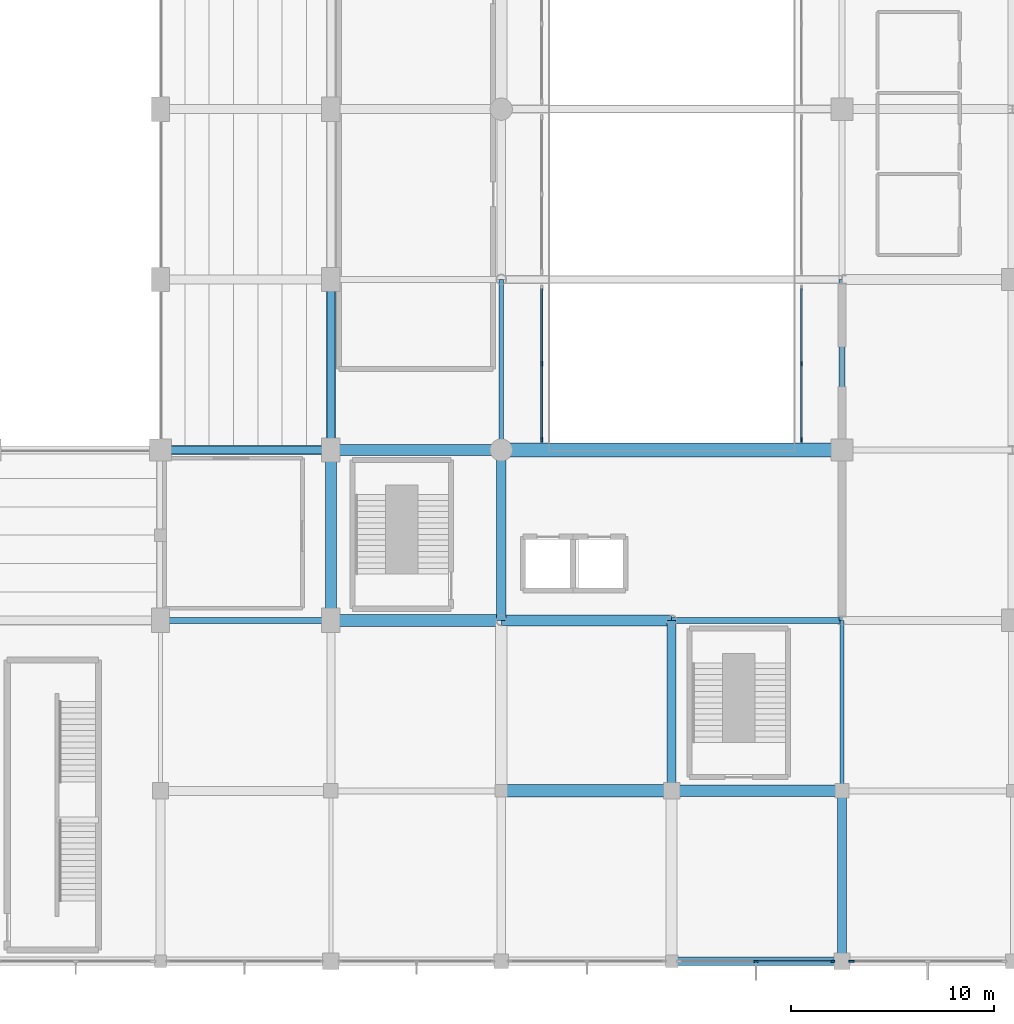
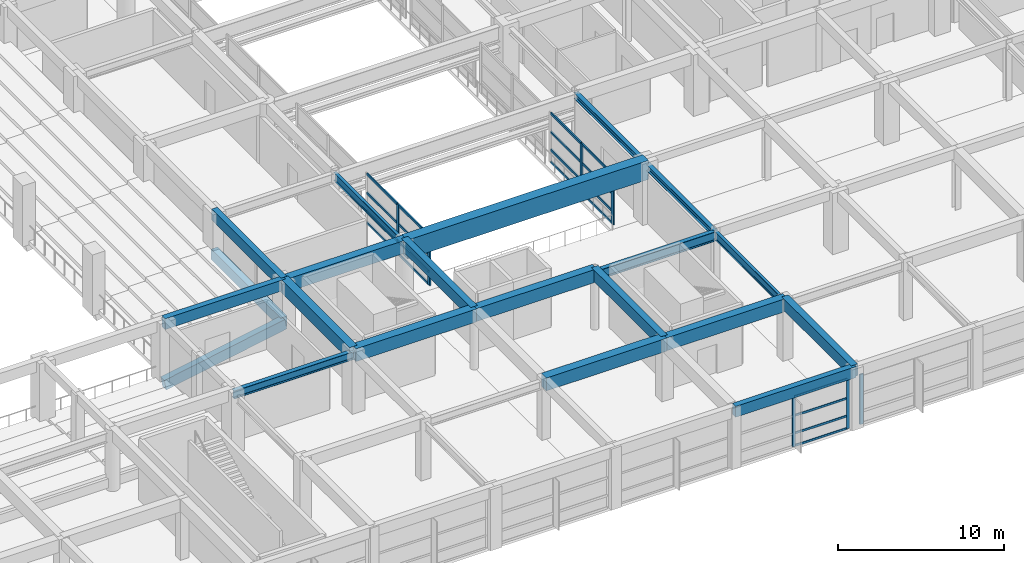
# One storey, part 23 of 62: 27 members, 21 beams, 4 elements without a shape of their own.
"""IFC4 building model written with IfcOpenShell, lengths in metres."""

from ifc_helpers import new_model, si_unit, direction, frame, origin, origin_2d, place, context, subcontext, project, spatial, rectangle, i_section, extrude, material, material_profile, profile_set, type_object, element, aggregate, save


model = new_model("IFC4")

# Units and contexts
model_context = context("Model", 3, precision=1e-05, world=origin(), true_north=direction((0.0, 1.0)))
body_context = subcontext(model_context, "Body", "Model", "MODEL_VIEW")
ifc_project = project(units=[si_unit("LENGTHUNIT", "METRE"), si_unit("AREAUNIT", "SQUARE_METRE"), si_unit("VOLUMEUNIT", "CUBIC_METRE"), si_unit("PLANEANGLEUNIT", "RADIAN"), si_unit("MASSUNIT", "GRAM", prefix="KILO")], contexts=[model_context])

# Site, building, storey
site_placement = place(None, origin())
site = spatial("IfcSite", under=ifc_project, at=site_placement, CompositionType="ELEMENT")
building_placement = place(site_placement, origin())
building = spatial("IfcBuilding", under=site, at=building_placement, Name="Xuanlan Plaza Opera House", CompositionType="ELEMENT")
storey_placement = place(building_placement, frame((0.0, 0.0, 14.39990234375)))
storey = spatial("IfcBuildingStorey", under=building, at=storey_placement, Name="L03", CompositionType="ELEMENT", Elevation=14.39990234375)

# Curtain wall, members
ifc_material_1 = material(Name="Anodised Aluminium 6063-T6 and Low-E Glass", Category="aluminium")
curtain_wall_type_1 = type_object("IfcCurtainWallType", Name="ENV-CW-CW-05", PredefinedType="USERDEFINED", material=ifc_material_1)
curtain_wall_1_placement = place(storey_placement, origin())
curtain_wall_1 = element("IfcCurtainWall", 1, at=curtain_wall_1_placement, inside=storey, type_object=curtain_wall_type_1, Name="Acoustic Glazed Wall L03-014", ObjectType="ACOUSTIC GLAZED WALL", PredefinedType="USERDEFINED")
ifc_material_2 = material(Name="Anodised Aluminium 6063-T6", Category="aluminium")
ifc_material_profile_1 = material_profile(ifc_material_2, rectangle(XDim=0.080078125, YDim=0.219970703125, at=origin_2d()), Name="ALU-M 80x220")
ifc_profile_set_1 = profile_set([ifc_material_profile_1], Name="Anodised Aluminium 6063-T6")
member_type_1 = type_object("IfcMemberType", Name="ENV-CWM-04", PredefinedType="MULLION", material=ifc_profile_set_1)
member_1_placement = place(storey_placement, frame((121.75, 16.800048828125, 0.0), z_axis=(0.0, 0.0, 1.0), x_axis=(0.0, 1.0, 0.0)))
member_1 = element("IfcMember", 2, at=member_1_placement, type_object=member_type_1, Name="CW-05 mullion 2", PredefinedType="MULLION", context=body_context, shape_type="SweptSolid", body=[
    extrude(rectangle(XDim=0.080078125, YDim=0.219970703125, at=origin_2d()), origin(), (0.0, 0.0, 1.0), 3.68017578125),
])
member_2_placement = place(storey_placement, frame((125.5400390625, 16.800048828125, 0.0), z_axis=(0.0, 0.0, 1.0), x_axis=(0.0, 1.0, 0.0)))
member_2 = element("IfcMember", 3, at=member_2_placement, type_object=member_type_1, Name="CW-05 mullion 3", PredefinedType="MULLION", context=body_context, shape_type="SweptSolid", body=[
    extrude(rectangle(XDim=0.080078125, YDim=0.219970703125, at=origin_2d()), origin(), (0.0, 0.0, 1.0), 3.68017578125),
])

# Curtain wall, member
curtain_wall_type_2 = type_object("IfcCurtainWallType", Name="ENV-CW-CW-06", PredefinedType="USERDEFINED", material=ifc_material_1)
curtain_wall_2_placement = place(storey_placement, origin())
curtain_wall_2 = element("IfcCurtainWall", 4, at=curtain_wall_2_placement, inside=storey, type_object=curtain_wall_type_2, Name="Acoustic Glazed Wall L03-015", ObjectType="ACOUSTIC GLAZED WALL", PredefinedType="USERDEFINED")
ifc_material_profile_2 = material_profile(ifc_material_2, rectangle(XDim=0.090087890625, YDim=0.25, at=origin_2d()), Name="ALU-M 90x250")
ifc_profile_set_2 = profile_set([ifc_material_profile_2], Name="Anodised Aluminium 6063-T6")
member_type_2 = type_object("IfcMemberType", Name="ENV-CWM-05", PredefinedType="MULLION", material=ifc_profile_set_2)
member_3_placement = place(storey_placement, frame((126.465087890625, 16.800048828125, 0.0), z_axis=(0.0, 0.0, 1.0), x_axis=(0.0, 1.0, 0.0)))
member_3 = element("IfcMember", 5, at=member_3_placement, type_object=member_type_2, Name="CW-06 mullion 1", PredefinedType="MULLION", context=body_context, shape_type="SweptSolid", body=[
    extrude(rectangle(XDim=0.090087890625, YDim=0.25, at=origin_2d()), origin(), (0.0, 0.0, 1.0), 3.68017578125),
])
aggregate(curtain_wall_2, [member_3])

# Curtain wall, members
curtain_wall_3_placement = place(storey_placement, origin())
curtain_wall_3 = element("IfcCurtainWall", 6, at=curtain_wall_3_placement, inside=storey, type_object=curtain_wall_type_2, Name="Acoustic Glazed Wall ATR-L03-11", ObjectType="ACOUSTIC GLAZED WALL", PredefinedType="USERDEFINED")
member_4_placement = place(storey_placement, frame((111.199951171875, 42.4951171875, 0.0), z_axis=(0.0, 0.0, 1.0), x_axis=(-1.0, 0.0, 0.0)))
member_4 = element("IfcMember", 7, at=member_4_placement, type_object=member_type_2, Name="CW-06 mullion 1", PredefinedType="MULLION", context=body_context, shape_type="SweptSolid", body=[
    extrude(rectangle(XDim=0.090087890625, YDim=0.25, at=origin_2d()), origin(), (0.0, 0.0, 1.0), 3.68017578125),
])
member_5_placement = place(storey_placement, frame((111.199951171875, 46.25, 0.0), z_axis=(0.0, 0.0, 1.0), x_axis=(-1.0, 0.0, 0.0)))
member_5 = element("IfcMember", 8, at=member_5_placement, type_object=member_type_2, Name="CW-06 mullion 2", PredefinedType="MULLION", context=body_context, shape_type="SweptSolid", body=[
    extrude(rectangle(XDim=0.090087890625, YDim=0.25, at=origin_2d()), origin(), (0.0, 0.0, 1.0), 3.68017578125),
])

curtain_wall_4_placement = place(storey_placement, origin())
curtain_wall_4 = element("IfcCurtainWall", 9, at=curtain_wall_4_placement, inside=storey, type_object=curtain_wall_type_2, Name="Acoustic Glazed Wall ATR-L03-21", ObjectType="ACOUSTIC GLAZED WALL", PredefinedType="USERDEFINED")
member_6_placement = place(storey_placement, frame((124.0, 42.4951171875, 0.0), z_axis=(0.0, 0.0, 1.0), x_axis=(-1.0, 0.0, 0.0)))
member_6 = element("IfcMember", 10, at=member_6_placement, type_object=member_type_2, Name="CW-06 mullion 1", PredefinedType="MULLION", context=body_context, shape_type="SweptSolid", body=[
    extrude(rectangle(XDim=0.090087890625, YDim=0.25, at=origin_2d()), origin(), (0.0, 0.0, 1.0), 3.68017578125),
])
member_7_placement = place(storey_placement, frame((124.0, 46.25, 0.0), z_axis=(0.0, 0.0, 1.0), x_axis=(-1.0, 0.0, 0.0)))
member_7 = element("IfcMember", 11, at=member_7_placement, type_object=member_type_2, Name="CW-06 mullion 2", PredefinedType="MULLION", context=body_context, shape_type="SweptSolid", body=[
    extrude(rectangle(XDim=0.090087890625, YDim=0.25, at=origin_2d()), origin(), (0.0, 0.0, 1.0), 3.68017578125),
])

# Member
ifc_material_profile_3 = material_profile(ifc_material_2, rectangle(XDim=0.074951171875, YDim=0.14990234375, at=origin_2d()), Name="ALU-T 75x150")
ifc_profile_set_3 = profile_set([ifc_material_profile_3], Name="Anodised Aluminium 6063-T6")
member_type_3 = type_object("IfcMemberType", Name="ENV-CWT-03", PredefinedType="USERDEFINED", material=ifc_profile_set_3)
member_8_placement = place(storey_placement, frame((121.7900390625, 16.800048828125, 0.03759765625), z_axis=(1.0, 0.0, 0.0), x_axis=(0.0, 1.0, 0.0)))
member_8 = element("IfcMember", 12, at=member_8_placement, type_object=member_type_3, Name="CW-05 transom 2.1", ObjectType="TRANSOM", PredefinedType="USERDEFINED", context=body_context, shape_type="SweptSolid", body=[
    extrude(rectangle(XDim=0.074951171875, YDim=0.14990234375, at=origin_2d()), origin(), (0.0, 0.0, 1.0), 3.7099609375),
])

member_9_placement = place(storey_placement, frame((121.7900390625, 16.800048828125, 0.9501953125), z_axis=(1.0, 0.0, 0.0), x_axis=(0.0, 1.0, 0.0)))
member_9 = element("IfcMember", 13, at=member_9_placement, type_object=member_type_3, Name="CW-05 transom 2.2", ObjectType="TRANSOM", PredefinedType="USERDEFINED", context=body_context, shape_type="SweptSolid", body=[
    extrude(rectangle(XDim=0.074951171875, YDim=0.14990234375, at=origin_2d()), origin(), (0.0, 0.0, 1.0), 3.7099609375),
])

member_10_placement = place(storey_placement, frame((121.7900390625, 16.800048828125, 2.25), z_axis=(1.0, 0.0, 0.0), x_axis=(0.0, 1.0, 0.0)))
member_10 = element("IfcMember", 14, at=member_10_placement, type_object=member_type_3, Name="CW-05 transom 2.3", ObjectType="TRANSOM", PredefinedType="USERDEFINED", context=body_context, shape_type="SweptSolid", body=[
    extrude(rectangle(XDim=0.074951171875, YDim=0.14990234375, at=origin_2d()), origin(), (0.0, 0.0, 1.0), 3.7099609375),
])

member_11_placement = place(storey_placement, frame((121.7900390625, 16.800048828125, 3.642578125), z_axis=(1.0, 0.0, 0.0), x_axis=(0.0, 1.0, 0.0)))
member_11 = element("IfcMember", 15, at=member_11_placement, type_object=member_type_3, Name="CW-05 transom 2.4", ObjectType="TRANSOM", PredefinedType="USERDEFINED", context=body_context, shape_type="SweptSolid", body=[
    extrude(rectangle(XDim=0.074951171875, YDim=0.14990234375, at=origin_2d()), origin(), (0.0, 0.0, 1.0), 3.7099609375),
])

aggregate(curtain_wall_1, [member_1, member_2, member_8, member_9, member_10, member_11])

ifc_material_profile_4 = material_profile(ifc_material_2, rectangle(XDim=0.090087890625, YDim=0.179931640625, at=origin_2d()), Name="ALU-T 90x180")
ifc_profile_set_4 = profile_set([ifc_material_profile_4], Name="Anodised Aluminium 6063-T6")
member_type_4 = type_object("IfcMemberType", Name="ENV-CWT-05", PredefinedType="USERDEFINED", material=ifc_profile_set_4)
member_12_placement = place(storey_placement, frame((111.199951171875, 42.5400390625, 0.045166015625), z_axis=(0.0, 1.0, 0.0), x_axis=(-1.0, 0.0, 0.0)))
member_12 = element("IfcMember", 16, at=member_12_placement, type_object=member_type_4, Name="CW-06 transom 1.1", ObjectType="TRANSOM", PredefinedType="USERDEFINED", context=body_context, shape_type="SweptSolid", body=[
    extrude(rectangle(XDim=0.090087890625, YDim=0.179931640625, at=origin_2d()), origin(), (0.0, 0.0, 1.0), 3.6650390625),
])

member_13_placement = place(storey_placement, frame((111.199951171875, 42.5400390625, 0.9501953125), z_axis=(0.0, 1.0, 0.0), x_axis=(-1.0, 0.0, 0.0)))
member_13 = element("IfcMember", 17, at=member_13_placement, type_object=member_type_4, Name="CW-06 transom 1.2", ObjectType="TRANSOM", PredefinedType="USERDEFINED", context=body_context, shape_type="SweptSolid", body=[
    extrude(rectangle(XDim=0.090087890625, YDim=0.179931640625, at=origin_2d()), origin(), (0.0, 0.0, 1.0), 3.6650390625),
])

member_14_placement = place(storey_placement, frame((111.199951171875, 42.5400390625, 2.25), z_axis=(0.0, 1.0, 0.0), x_axis=(-1.0, 0.0, 0.0)))
member_14 = element("IfcMember", 18, at=member_14_placement, type_object=member_type_4, Name="CW-06 transom 1.3", ObjectType="TRANSOM", PredefinedType="USERDEFINED", context=body_context, shape_type="SweptSolid", body=[
    extrude(rectangle(XDim=0.090087890625, YDim=0.179931640625, at=origin_2d()), origin(), (0.0, 0.0, 1.0), 3.6650390625),
])

member_15_placement = place(storey_placement, frame((111.199951171875, 42.5400390625, 3.635009765625), z_axis=(0.0, 1.0, 0.0), x_axis=(-1.0, 0.0, 0.0)))
member_15 = element("IfcMember", 19, at=member_15_placement, type_object=member_type_4, Name="CW-06 transom 1.4", ObjectType="TRANSOM", PredefinedType="USERDEFINED", context=body_context, shape_type="SweptSolid", body=[
    extrude(rectangle(XDim=0.090087890625, YDim=0.179931640625, at=origin_2d()), origin(), (0.0, 0.0, 1.0), 3.6650390625),
])

member_16_placement = place(storey_placement, frame((111.199951171875, 46.294921875, 0.045166015625), z_axis=(0.0, 1.0, 0.0), x_axis=(-1.0, 0.0, 0.0)))
member_16 = element("IfcMember", 20, at=member_16_placement, type_object=member_type_4, Name="CW-06 transom 2.1", ObjectType="TRANSOM", PredefinedType="USERDEFINED", context=body_context, shape_type="SweptSolid", body=[
    extrude(rectangle(XDim=0.090087890625, YDim=0.179931640625, at=origin_2d()), origin(), (0.0, 0.0, 1.0), 3.6650390625),
])

member_17_placement = place(storey_placement, frame((111.199951171875, 46.294921875, 0.9501953125), z_axis=(0.0, 1.0, 0.0), x_axis=(-1.0, 0.0, 0.0)))
member_17 = element("IfcMember", 21, at=member_17_placement, type_object=member_type_4, Name="CW-06 transom 2.2", ObjectType="TRANSOM", PredefinedType="USERDEFINED", context=body_context, shape_type="SweptSolid", body=[
    extrude(rectangle(XDim=0.090087890625, YDim=0.179931640625, at=origin_2d()), origin(), (0.0, 0.0, 1.0), 3.6650390625),
])

member_18_placement = place(storey_placement, frame((111.199951171875, 46.294921875, 2.25), z_axis=(0.0, 1.0, 0.0), x_axis=(-1.0, 0.0, 0.0)))
member_18 = element("IfcMember", 22, at=member_18_placement, type_object=member_type_4, Name="CW-06 transom 2.3", ObjectType="TRANSOM", PredefinedType="USERDEFINED", context=body_context, shape_type="SweptSolid", body=[
    extrude(rectangle(XDim=0.090087890625, YDim=0.179931640625, at=origin_2d()), origin(), (0.0, 0.0, 1.0), 3.6650390625),
])

member_19_placement = place(storey_placement, frame((111.199951171875, 46.294921875, 3.635009765625), z_axis=(0.0, 1.0, 0.0), x_axis=(-1.0, 0.0, 0.0)))
member_19 = element("IfcMember", 23, at=member_19_placement, type_object=member_type_4, Name="CW-06 transom 2.4", ObjectType="TRANSOM", PredefinedType="USERDEFINED", context=body_context, shape_type="SweptSolid", body=[
    extrude(rectangle(XDim=0.090087890625, YDim=0.179931640625, at=origin_2d()), origin(), (0.0, 0.0, 1.0), 3.6650390625),
])

aggregate(curtain_wall_3, [member_4, member_5, member_12, member_13, member_14, member_15, member_16, member_17, member_18, member_19])

member_20_placement = place(storey_placement, frame((124.0, 42.5400390625, 0.045166015625), z_axis=(0.0, 1.0, 0.0), x_axis=(-1.0, 0.0, 0.0)))
member_20 = element("IfcMember", 24, at=member_20_placement, type_object=member_type_4, Name="CW-06 transom 1.1", ObjectType="TRANSOM", PredefinedType="USERDEFINED", context=body_context, shape_type="SweptSolid", body=[
    extrude(rectangle(XDim=0.090087890625, YDim=0.179931640625, at=origin_2d()), origin(), (0.0, 0.0, 1.0), 3.6650390625),
])

member_21_placement = place(storey_placement, frame((124.0, 42.5400390625, 0.9501953125), z_axis=(0.0, 1.0, 0.0), x_axis=(-1.0, 0.0, 0.0)))
member_21 = element("IfcMember", 25, at=member_21_placement, type_object=member_type_4, Name="CW-06 transom 1.2", ObjectType="TRANSOM", PredefinedType="USERDEFINED", context=body_context, shape_type="SweptSolid", body=[
    extrude(rectangle(XDim=0.090087890625, YDim=0.179931640625, at=origin_2d()), origin(), (0.0, 0.0, 1.0), 3.6650390625),
])

member_22_placement = place(storey_placement, frame((124.0, 42.5400390625, 2.25), z_axis=(0.0, 1.0, 0.0), x_axis=(-1.0, 0.0, 0.0)))
member_22 = element("IfcMember", 26, at=member_22_placement, type_object=member_type_4, Name="CW-06 transom 1.3", ObjectType="TRANSOM", PredefinedType="USERDEFINED", context=body_context, shape_type="SweptSolid", body=[
    extrude(rectangle(XDim=0.090087890625, YDim=0.179931640625, at=origin_2d()), origin(), (0.0, 0.0, 1.0), 3.6650390625),
])

member_23_placement = place(storey_placement, frame((124.0, 42.5400390625, 3.635009765625), z_axis=(0.0, 1.0, 0.0), x_axis=(-1.0, 0.0, 0.0)))
member_23 = element("IfcMember", 27, at=member_23_placement, type_object=member_type_4, Name="CW-06 transom 1.4", ObjectType="TRANSOM", PredefinedType="USERDEFINED", context=body_context, shape_type="SweptSolid", body=[
    extrude(rectangle(XDim=0.090087890625, YDim=0.179931640625, at=origin_2d()), origin(), (0.0, 0.0, 1.0), 3.6650390625),
])

member_24_placement = place(storey_placement, frame((124.0, 46.294921875, 0.045166015625), z_axis=(0.0, 1.0, 0.0), x_axis=(-1.0, 0.0, 0.0)))
member_24 = element("IfcMember", 28, at=member_24_placement, type_object=member_type_4, Name="CW-06 transom 2.1", ObjectType="TRANSOM", PredefinedType="USERDEFINED", context=body_context, shape_type="SweptSolid", body=[
    extrude(rectangle(XDim=0.090087890625, YDim=0.179931640625, at=origin_2d()), origin(), (0.0, 0.0, 1.0), 3.6650390625),
])

member_25_placement = place(storey_placement, frame((124.0, 46.294921875, 0.9501953125), z_axis=(0.0, 1.0, 0.0), x_axis=(-1.0, 0.0, 0.0)))
member_25 = element("IfcMember", 29, at=member_25_placement, type_object=member_type_4, Name="CW-06 transom 2.2", ObjectType="TRANSOM", PredefinedType="USERDEFINED", context=body_context, shape_type="SweptSolid", body=[
    extrude(rectangle(XDim=0.090087890625, YDim=0.179931640625, at=origin_2d()), origin(), (0.0, 0.0, 1.0), 3.6650390625),
])

member_26_placement = place(storey_placement, frame((124.0, 46.294921875, 2.25), z_axis=(0.0, 1.0, 0.0), x_axis=(-1.0, 0.0, 0.0)))
member_26 = element("IfcMember", 30, at=member_26_placement, type_object=member_type_4, Name="CW-06 transom 2.3", ObjectType="TRANSOM", PredefinedType="USERDEFINED", context=body_context, shape_type="SweptSolid", body=[
    extrude(rectangle(XDim=0.090087890625, YDim=0.179931640625, at=origin_2d()), origin(), (0.0, 0.0, 1.0), 3.6650390625),
])

member_27_placement = place(storey_placement, frame((124.0, 46.294921875, 3.635009765625), z_axis=(0.0, 1.0, 0.0), x_axis=(-1.0, 0.0, 0.0)))
member_27 = element("IfcMember", 31, at=member_27_placement, type_object=member_type_4, Name="CW-06 transom 2.4", ObjectType="TRANSOM", PredefinedType="USERDEFINED", context=body_context, shape_type="SweptSolid", body=[
    extrude(rectangle(XDim=0.090087890625, YDim=0.179931640625, at=origin_2d()), origin(), (0.0, 0.0, 1.0), 3.6650390625),
])

aggregate(curtain_wall_4, [member_6, member_7, member_20, member_21, member_22, member_23, member_24, member_25, member_26, member_27])

# Beams
ifc_material_3 = material(Name="Concrete C50", Category="concrete")
ifc_material_profile_5 = material_profile(ifc_material_3, rectangle(XDim=0.60009765625, YDim=0.949951171875, at=origin_2d()), Name="RC-BM 600x950")
ifc_profile_set_5 = profile_set([ifc_material_profile_5], Name="Concrete C50")
beam_type_1 = type_object("IfcBeamType", Name="STR-BM-B-01", PredefinedType="BEAM", material=ifc_profile_set_5)
beam_1_placement = place(storey_placement, frame((109.199951171875, 25.199951171875, 4.025146484375), z_axis=(1.0, 0.0, 0.0), x_axis=(0.0, 1.0, 0.0)))
element("IfcBeam", 32, at=beam_1_placement, inside=storey, type_object=beam_type_1, Name="Grid Beam X L03 14-15/D", PredefinedType="BEAM", context=body_context, shape_type="SweptSolid", body=[
    extrude(rectangle(XDim=0.60009765625, YDim=0.949951171875, at=origin_2d()), origin(), (0.0, 0.0, 1.0), 8.400146484375),
])
beam_2_placement = place(storey_placement, frame((100.800048828125, 33.60009765625, 4.025146484375), z_axis=(1.0, 0.0, 0.0), x_axis=(0.0, 1.0, 0.0)))
element("IfcBeam", 33, at=beam_2_placement, inside=storey, type_object=beam_type_1, Name="Grid Beam X L03 13-14/E", PredefinedType="BEAM", context=body_context, shape_type="SweptSolid", body=[
    extrude(rectangle(XDim=0.60009765625, YDim=0.949951171875, at=origin_2d()), origin(), (0.0, 0.0, 1.0), 8.39990234375),
])
ifc_material_profile_6 = material_profile(ifc_material_3, rectangle(XDim=0.550048828125, YDim=0.949951171875, at=origin_2d()), Name="RC-BM 550x950")
ifc_profile_set_6 = profile_set([ifc_material_profile_6], Name="Concrete C50")
beam_type_2 = type_object("IfcBeamType", Name="STR-BM-B-02", PredefinedType="BEAM", material=ifc_profile_set_6)
beam_3_placement = place(storey_placement, frame((117.60009765625, 25.199951171875, 4.025146484375), z_axis=(1.0, 0.0, 0.0), x_axis=(0.0, 1.0, 0.0)))
element("IfcBeam", 34, at=beam_3_placement, inside=storey, type_object=beam_type_2, Name="Grid Beam X L03 15-16/D", PredefinedType="BEAM", context=body_context, shape_type="SweptSolid", body=[
    extrude(rectangle(XDim=0.550048828125, YDim=0.949951171875, at=origin_2d()), origin(), (0.0, 0.0, 1.0), 8.39990234375),
])
beam_4_placement = place(storey_placement, frame((109.199951171875, 33.60009765625, 4.025146484375), z_axis=(1.0, 0.0, 0.0), x_axis=(0.0, 1.0, 0.0)))
element("IfcBeam", 35, at=beam_4_placement, inside=storey, type_object=beam_type_2, Name="Grid Beam X L03 14-15/E", PredefinedType="BEAM", context=body_context, shape_type="SweptSolid", body=[
    extrude(rectangle(XDim=0.550048828125, YDim=0.949951171875, at=origin_2d()), origin(), (0.0, 0.0, 1.0), 8.400146484375),
])
for number, where, z_axis, x_axis, name in (
    (36, (100.800048828125, 42.0, 4.025146484375), (1.0, 0.0, 0.0), (0.0, 1.0, 0.0), "Grid Beam X L03 13-14/F"),
    (37, (100.800048828125, 33.60009765625, 4.025146484375), (0.0, 1.0, 0.0), (-1.0, 0.0, 0.0), "Grid Beam Y L03 13/E-F"),
):
    element("IfcBeam", number, at=place(storey_placement, frame(where, z_axis=z_axis, x_axis=x_axis)), inside=storey, type_object=beam_type_2, Name=name, PredefinedType="BEAM", context=body_context, shape_type="SweptSolid", body=[
        extrude(rectangle(XDim=0.550048828125, YDim=0.949951171875, at=origin_2d()), origin(), (0.0, 0.0, 1.0), 8.39990234375),
    ])
ifc_material_4 = material(Name="Concrete C40", Category="concrete")
ifc_material_profile_7 = material_profile(ifc_material_4, rectangle(XDim=0.449951171875, YDim=0.85009765625, at=origin_2d()), Name="RC-BM 450x850")
ifc_profile_set_7 = profile_set([ifc_material_profile_7], Name="Concrete C40")
beam_type_3 = type_object("IfcBeamType", Name="STR-BM-B-04", PredefinedType="BEAM", material=ifc_profile_set_7)
beam_5_placement = place(storey_placement, frame((109.199951171875, 33.60009765625, 4.0751953125), z_axis=(0.0, 1.0, 0.0), x_axis=(-1.0, 0.0, 0.0)))
element("IfcBeam", 38, at=beam_5_placement, inside=storey, type_object=beam_type_3, Name="Grid Beam Y L03 14/E-F", PredefinedType="BEAM", context=body_context, shape_type="SweptSolid", body=[
    extrude(rectangle(XDim=0.449951171875, YDim=0.85009765625, at=origin_2d()), origin(), (0.0, 0.0, 1.0), 8.39990234375),
])
beam_6_placement = place(storey_placement, frame((117.60009765625, 25.199951171875, 4.0751953125), z_axis=(0.0, 1.0, 0.0), x_axis=(-1.0, 0.0, 0.0)))
element("IfcBeam", 39, at=beam_6_placement, inside=storey, type_object=beam_type_3, Name="Grid Beam Y L03 15/D-E", PredefinedType="BEAM", context=body_context, shape_type="SweptSolid", body=[
    extrude(rectangle(XDim=0.449951171875, YDim=0.85009765625, at=origin_2d()), origin(), (0.0, 0.0, 1.0), 8.400146484375),
])
beam_7_placement = place(storey_placement, frame((126.0, 16.800048828125, 4.0751953125), z_axis=(0.0, 1.0, 0.0), x_axis=(-1.0, 0.0, 0.0)))
element("IfcBeam", 40, at=beam_7_placement, inside=storey, type_object=beam_type_3, Name="Grid Beam Y L03 16/C-D", PredefinedType="BEAM", context=body_context, shape_type="SweptSolid", body=[
    extrude(rectangle(XDim=0.449951171875, YDim=0.85009765625, at=origin_2d()), origin(), (0.0, 0.0, 1.0), 8.39990234375),
])
ifc_material_profile_8 = material_profile(ifc_material_3, rectangle(XDim=0.699951171875, YDim=1.39990234375, at=origin_2d()), Name="RC-LG 700x1400")
ifc_profile_set_8 = profile_set([ifc_material_profile_8], Name="Concrete C50")
beam_type_4 = type_object("IfcBeamType", Name="STR-BM-LG-01", PredefinedType="BEAM", material=ifc_profile_set_8)
beam_8_placement = place(storey_placement, frame((109.199951171875, 42.0, 3.800048828125), z_axis=(1.0, 0.0, 0.0), x_axis=(0.0, 1.0, 0.0)))
element("IfcBeam", 41, at=beam_8_placement, inside=storey, type_object=beam_type_4, Name="Grid Beam X L03 14-16/F", PredefinedType="BEAM", context=body_context, shape_type="SweptSolid", body=[
    extrude(rectangle(XDim=0.699951171875, YDim=1.39990234375, at=origin_2d()), origin(), (0.0, 0.0, 1.0), 16.800048828125),
])
ifc_material_profile_9 = material_profile(ifc_material_4, rectangle(XDim=0.449951171875, YDim=0.760009765625, at=origin_2d()), Name="RC-RKR 450x760")
ifc_profile_set_9 = profile_set([ifc_material_profile_9], Name="Concrete C40")
beam_type_5 = type_object("IfcBeamType", Name="STR-BM-RK-01", PredefinedType="BEAM", material=ifc_profile_set_9)
beam_9_placement = place(storey_placement, frame((92.39990234375, 42.0, -0.3798828125), z_axis=(0.983188076512, 0.0, 0.182595745311), x_axis=(0.0, 1.0, 0.0)))
element("IfcBeam", 42, at=beam_9_placement, inside=storey, type_object=beam_type_5, Name="Auditorium Tier Raker Beam L03 Y42", PredefinedType="BEAM", context=body_context, shape_type="SweptSolid", body=[
    extrude(rectangle(XDim=0.449951171875, YDim=0.760009765625, at=origin_2d()), origin(), (0.0, 0.0, 1.0), 8.543701171875),
])
ifc_material_profile_10 = material_profile(ifc_material_4, rectangle(XDim=0.449951171875, YDim=0.760009765625, at=origin_2d()), Name="RC-RKR 450x760")
ifc_profile_set_10 = profile_set([ifc_material_profile_10], Name="Concrete C40")
beam_type_6 = type_object("IfcBeamType", Name="STR-BM-RKH-03", PredefinedType="BEAM", material=ifc_profile_set_10)
beam_10_placement = place(storey_placement, frame((100.800048828125, 42.0, 1.18017578125), z_axis=(0.0, 1.0, 0.0), x_axis=(-1.0, 0.0, 0.0)))
element("IfcBeam", 43, at=beam_10_placement, inside=storey, type_object=beam_type_6, Name="Auditorium Tier Header Beam L03-1", PredefinedType="BEAM", context=body_context, shape_type="SweptSolid", body=[
    extrude(rectangle(XDim=0.449951171875, YDim=0.760009765625, at=origin_2d()), origin(), (0.0, 0.0, 1.0), 8.39990234375),
])
ifc_material_5 = material(Name="Steel Q355B", Category="steel")
ifc_material_profile_11 = material_profile(ifc_material_5, i_section(OverallWidth=0.300048828125, OverallDepth=0.699951171875, WebThickness=0.012939453125, FlangeThickness=0.02392578125, FilletRadius=0.02392578125, at=origin_2d()), Name="HN 700x300x13x24")
ifc_profile_set_11 = profile_set([ifc_material_profile_11], Name="Steel Q355B")
beam_type_7 = type_object("IfcBeamType", Name="STR-BM-SB-03", PredefinedType="BEAM", material=ifc_profile_set_11)
beam_11_placement = place(storey_placement, frame((117.60009765625, 33.60009765625, 3.885009765625), z_axis=(1.0, 0.0, 0.0), x_axis=(0.0, 1.0, 0.0)))
element("IfcBeam", 44, at=beam_11_placement, inside=storey, type_object=beam_type_7, Name="Grid Beam X L03 15-16/E", PredefinedType="BEAM", context=body_context, shape_type="SweptSolid", body=[
    extrude(i_section(OverallWidth=0.300048828125, OverallDepth=0.699951171875, WebThickness=0.012939453125, FlangeThickness=0.02392578125, FilletRadius=0.02392578125, at=origin_2d()), origin(), (0.0, 0.0, 1.0), 8.39990234375),
])
ifc_material_profile_12 = material_profile(ifc_material_5, i_section(OverallWidth=0.199951171875, OverallDepth=0.60009765625, WebThickness=0.010986328125, FlangeThickness=0.01708984375, FilletRadius=0.02197265625, at=origin_2d()), Name="HN 600x200x11x17")
ifc_profile_set_12 = profile_set([ifc_material_profile_12], Name="Steel Q355B")
beam_type_8 = type_object("IfcBeamType", Name="STR-BM-SB-04", PredefinedType="BEAM", material=ifc_profile_set_12)
beam_12_placement = place(storey_placement, frame((109.199951171875, 42.0, 3.93505859375), z_axis=(0.0, 1.0, 0.0), x_axis=(-1.0, 0.0, 0.0)))
element("IfcBeam", 45, at=beam_12_placement, inside=storey, type_object=beam_type_8, Name="Grid Beam Y L03 14/F-G", PredefinedType="BEAM", context=body_context, shape_type="SweptSolid", body=[
    extrude(i_section(OverallWidth=0.199951171875, OverallDepth=0.60009765625, WebThickness=0.010986328125, FlangeThickness=0.01708984375, FilletRadius=0.02197265625, at=origin_2d()), origin(), (0.0, 0.0, 1.0), 8.39990234375),
])
beam_13_placement = place(storey_placement, frame((126.0, 25.199951171875, 3.93505859375), z_axis=(0.0, 1.0, 0.0), x_axis=(-1.0, 0.0, 0.0)))
element("IfcBeam", 46, at=beam_13_placement, inside=storey, type_object=beam_type_8, Name="Grid Beam Y L03 16/D-E", PredefinedType="BEAM", context=body_context, shape_type="SweptSolid", body=[
    extrude(i_section(OverallWidth=0.199951171875, OverallDepth=0.60009765625, WebThickness=0.010986328125, FlangeThickness=0.01708984375, FilletRadius=0.02197265625, at=origin_2d()), origin(), (0.0, 0.0, 1.0), 8.400146484375),
])
ifc_material_profile_13 = material_profile(ifc_material_5, i_section(OverallWidth=0.300048828125, OverallDepth=0.587890625, WebThickness=0.011962890625, FlangeThickness=0.02001953125, FilletRadius=0.02392578125, at=origin_2d()), Name="HM 588x300x12x20")
ifc_profile_set_13 = profile_set([ifc_material_profile_13], Name="Steel Q355B")
beam_type_9 = type_object("IfcBeamType", Name="STR-BM-SB-06", PredefinedType="BEAM", material=ifc_profile_set_13)
beam_14_placement = place(storey_placement, frame((92.39990234375, 33.60009765625, 3.941162109375), z_axis=(1.0, 0.0, 0.0), x_axis=(0.0, 1.0, 0.0)))
element("IfcBeam", 47, at=beam_14_placement, inside=storey, type_object=beam_type_9, Name="Grid Beam X L03 12-13/E", PredefinedType="BEAM", context=body_context, shape_type="SweptSolid", body=[
    extrude(i_section(OverallWidth=0.300048828125, OverallDepth=0.587890625, WebThickness=0.011962890625, FlangeThickness=0.02001953125, FilletRadius=0.02392578125, at=origin_2d()), origin(), (0.0, 0.0, 1.0), 8.400146484375),
])
ifc_material_profile_14 = material_profile(ifc_material_5, i_section(OverallWidth=0.300048828125, OverallDepth=0.43994140625, WebThickness=0.010986328125, FlangeThickness=0.01806640625, FilletRadius=0.02001953125, at=origin_2d()), Name="HM 440x300x11x18")
ifc_profile_set_14 = profile_set([ifc_material_profile_14], Name="Steel Q355B")
beam_type_10 = type_object("IfcBeamType", Name="STR-BM-SB-08", PredefinedType="BEAM", material=ifc_profile_set_14)
for number, where, z_axis, x_axis, name in (
    (48, (126.0, 33.60009765625, 4.01513671875), (0.0, 1.0, 0.0), (-1.0, 0.0, 0.0), "Grid Beam Y L03 16/E-F"),
    (49, (126.0, 42.0, 4.01513671875), (0.0, 1.0, 0.0), (-1.0, 0.0, 0.0), "Grid Beam Y L03 16/F-G"),
):
    element("IfcBeam", number, at=place(storey_placement, frame(where, z_axis=z_axis, x_axis=x_axis)), inside=storey, type_object=beam_type_10, Name=name, PredefinedType="BEAM", context=body_context, shape_type="SweptSolid", body=[
        extrude(i_section(OverallWidth=0.300048828125, OverallDepth=0.43994140625, WebThickness=0.010986328125, FlangeThickness=0.01806640625, FilletRadius=0.02001953125, at=origin_2d()), origin(), (0.0, 0.0, 1.0), 8.39990234375),
    ])
ifc_material_profile_15 = material_profile(ifc_material_4, rectangle(XDim=0.39990234375, YDim=0.800048828125, at=origin_2d()), Name="RC-SPD 400x800")
ifc_profile_set_15 = profile_set([ifc_material_profile_15], Name="Concrete C40")
beam_type_11 = type_object("IfcBeamType", Name="STR-BM-SP-01", PredefinedType="SPANDREL", material=ifc_profile_set_15)
beam_15_placement = place(storey_placement, frame((117.60009765625, 16.800048828125, 4.10009765625), z_axis=(1.0, 0.0, 0.0), x_axis=(0.0, 1.0, 0.0)))
element("IfcBeam", 50, at=beam_15_placement, inside=storey, type_object=beam_type_11, Name="Grid Beam X L03 15-16/C", PredefinedType="SPANDREL", context=body_context, shape_type="SweptSolid", body=[
    extrude(rectangle(XDim=0.39990234375, YDim=0.800048828125, at=origin_2d()), origin(), (0.0, 0.0, 1.0), 8.39990234375),
])
beam_16_placement = place(storey_placement, frame((92.39990234375, 42.0, 4.10009765625), z_axis=(1.0, 0.0, 0.0), x_axis=(0.0, 1.0, 0.0)))
element("IfcBeam", 51, at=beam_16_placement, inside=storey, type_object=beam_type_11, Name="Grid Beam X L03 12-13/F", PredefinedType="SPANDREL", context=body_context, shape_type="SweptSolid", body=[
    extrude(rectangle(XDim=0.39990234375, YDim=0.800048828125, at=origin_2d()), origin(), (0.0, 0.0, 1.0), 8.400146484375),
])
beam_17_placement = place(storey_placement, frame((100.800048828125, 42.0, 4.10009765625), z_axis=(0.0, 1.0, 0.0), x_axis=(-1.0, 0.0, 0.0)))
element("IfcBeam", 52, at=beam_17_placement, inside=storey, type_object=beam_type_11, Name="Grid Beam Y L03 13/F-G", PredefinedType="SPANDREL", context=body_context, shape_type="SweptSolid", body=[
    extrude(rectangle(XDim=0.39990234375, YDim=0.800048828125, at=origin_2d()), origin(), (0.0, 0.0, 1.0), 8.39990234375),
])

save(model, "model.ifc")
